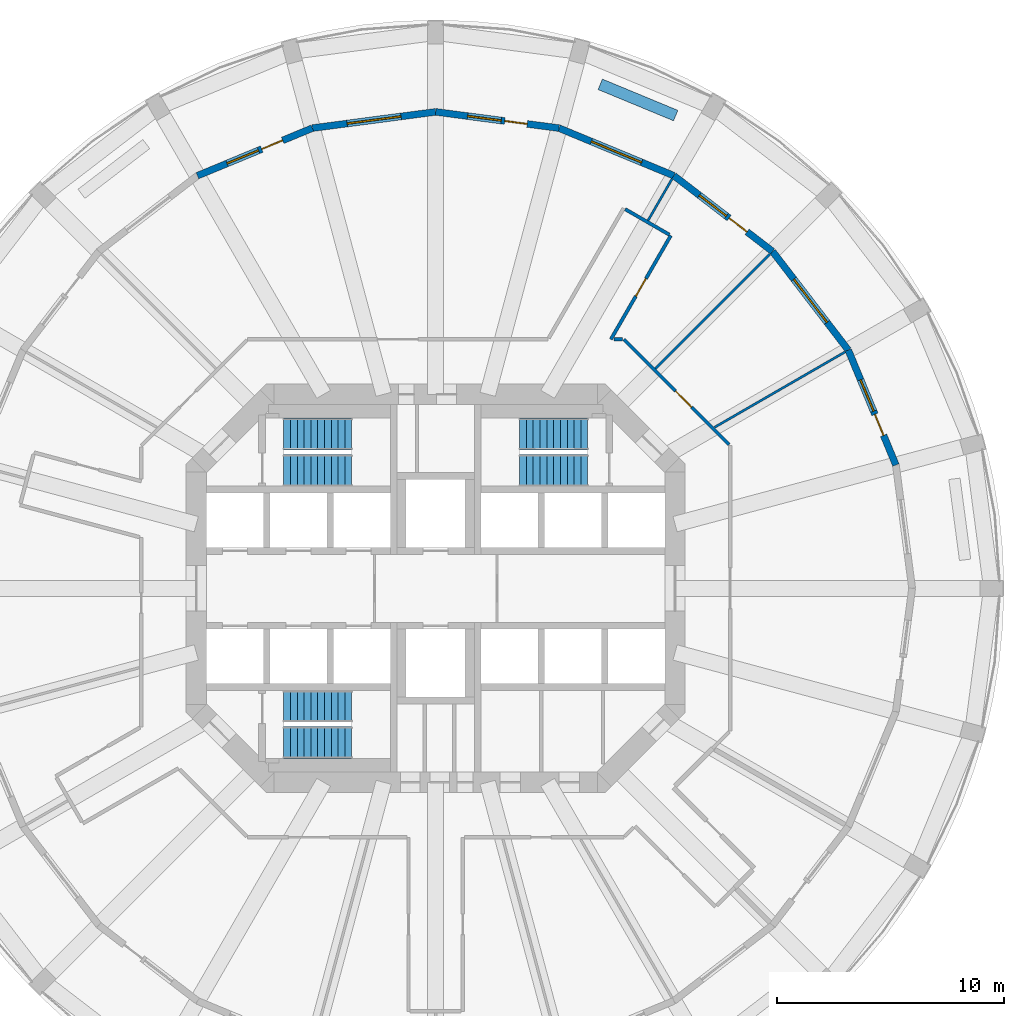
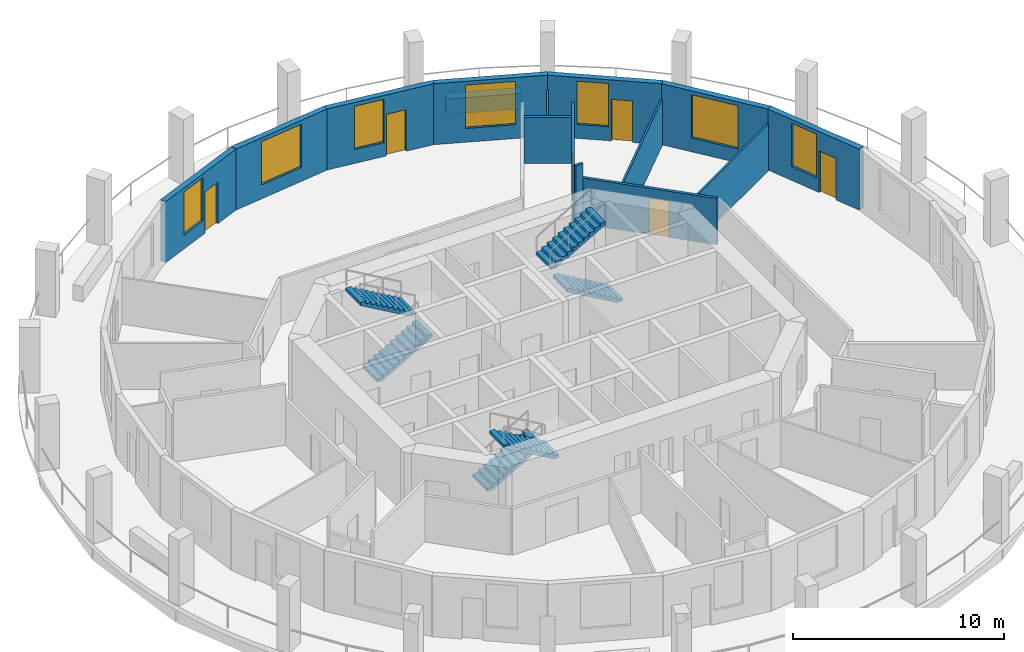
# One storey, part 6 of 8: 15 walls, 7 windows, 6 doors, 6 stair flights, 13 openings, 3 elements without a shape of their own.
"""IFC4 building model written with IfcOpenShell, lengths in metres."""

from ifc_helpers import new_model, si_unit, direction, frame, frame_2d, origin, place, context, subcontext, project, spatial, polyline, rectangle, outline, extrude, material, layer, layer_set, type_object, element, fill, aggregate, save


model = new_model("IFC4")

# Units and contexts
model_context = context("Model", 3, precision=1e-05, world=origin(), true_north=direction((0.0, 1.0)))
body_context = subcontext(model_context, "Body", "Model", "MODEL_VIEW")
ifc_project = project(units=[si_unit("LENGTHUNIT", "METRE"), si_unit("AREAUNIT", "SQUARE_METRE"), si_unit("VOLUMEUNIT", "CUBIC_METRE"), si_unit("PLANEANGLEUNIT", "RADIAN"), si_unit("MASSUNIT", "GRAM", prefix="KILO")], contexts=[model_context])

# Site, building, storey
site_placement = place(None, origin())
site = spatial("IfcSite", under=ifc_project, at=site_placement, CompositionType="ELEMENT")
building_placement = place(site_placement, origin())
building = spatial("IfcBuilding", under=site, at=building_placement, Name="Torre Triforio", CompositionType="ELEMENT")
storey_placement = place(building_placement, frame((0.0, 0.0, 120.0)))
storey = spatial("IfcBuildingStorey", under=building, at=storey_placement, Name="L26", CompositionType="ELEMENT", Elevation=120.0)

# Wall
ifc_material_1 = material(Name="Plasterboard on metal studs")
ifc_layer_1 = layer(ifc_material_1, 0.14990234375)
ifc_layer_set_1 = layer_set([ifc_layer_1], Name="Plasterboard on metal studs")
wall_type_1 = type_object("IfcWallType", Name="Corridor and tenancy wall 150 mm EI 60", PredefinedType="PARTITIONING", material=ifc_layer_set_1)
wall_1_placement = place(storey_placement, frame((8.35009765625, 16.712890625, 0.0), z_axis=(0.0, 0.0, 1.0), x_axis=(0.866017533419, -0.500013631625, 0.0)))
element("IfcWall", 1, at=wall_1_placement, inside=storey, type_object=wall_type_1, Name="Partition 11", PredefinedType="PARTITIONING", context=body_context, shape_type="SweptSolid", body=[
    extrude(rectangle(XDim=2.25, YDim=0.14990234375, at=frame_2d((1.125, 0.0))), origin(), (0.0, 0.0, 1.0), 2.669921875),
])

# Wall, opening, door
wall_2_placement = place(storey_placement, frame((10.363525390625, 15.55029296875, 0.0), z_axis=(0.0, 0.0, 1.0), x_axis=(-0.499981143329, -0.866036290415, 0.0)))
wall_2 = element("IfcWall", 2, at=wall_2_placement, inside=storey, type_object=wall_type_1, Name="Partition 12", PredefinedType="PARTITIONING", context=body_context, shape_type="SweptSolid", body=[
    extrude(rectangle(XDim=5.282958984375, YDim=0.14990234375, at=frame_2d((2.6416015625, 0.0))), origin(), (0.0, 0.0, 1.0), 3.52001953125),
])
opening_1_placement = place(wall_2_placement, frame((2.19140625, 0.0, 0.0)))
opening_1 = element("IfcOpeningElement", 3, at=opening_1_placement, cuts=wall_2, Name="Opening D1-14", PredefinedType="OPENING", context=body_context, shape_type="SweptSolid", body=[
    extrude(rectangle(XDim=0.89990234375, YDim=2.10009765625, at=frame_2d((0.449951171875, 1.050048828125))), frame((0.0, 0.0849609375, 0.0), z_axis=(0.0, -1.0, 0.0), x_axis=(1.0, 0.0, 0.0)), (0.0, 0.0, 1.0), 0.169921875),
])
ifc_material_2 = material(Name="Timber", Category="wood")
door_type_1 = type_object("IfcDoorType", Name="Door 900 x 2100 single leaf EI 30", OperationType="NOTDEFINED", PredefinedType="DOOR", material=ifc_material_2)
door_1_placement = place(opening_1_placement, origin())
door_1 = element("IfcDoor", 4, at=door_1_placement, inside=storey, type_object=door_type_1, Name="Door D1-14", OperationType="SINGLE_SWING_LEFT", OverallHeight=2.10009765625, OverallWidth=0.89990234375, PredefinedType="DOOR", context=body_context, shape_type="SweptSolid", body=[
    extrude(rectangle(XDim=0.89990234375, YDim=2.10009765625, at=frame_2d((0.449951171875, 1.050048828125))), frame((0.0, 0.02490234375, 0.0), z_axis=(0.0, -1.0, 0.0), x_axis=(1.0, 0.0, 0.0)), (0.0, 0.0, 1.0), 0.050048828125),
])
fill(opening_1, door_1)

# Wall
wall_3_placement = place(storey_placement, frame((7.85205078125, 10.97509765625, 0.0), z_axis=(0.0, 0.0, 1.0), x_axis=(1.0, 0.0, 0.0)))
element("IfcWall", 5, at=wall_3_placement, inside=storey, type_object=wall_type_1, Name="Partition 13", PredefinedType="PARTITIONING", context=body_context, shape_type="SweptSolid", body=[
    extrude(rectangle(XDim=0.38623046875, YDim=0.14990234375, at=frame_2d((0.193115234375, 0.0))), origin(), (0.0, 0.0, 1.0), 3.52001953125),
])

# Wall, opening, door
wall_4_placement = place(storey_placement, frame((8.291015625, 10.97509765625, 0.0), z_axis=(0.0, 0.0, 1.0), x_axis=(0.707088206597, -0.707125355289, 0.0)))
wall_4 = element("IfcWall", 6, at=wall_4_placement, inside=storey, type_object=wall_type_1, Name="Partition 14", PredefinedType="PARTITIONING", context=body_context, shape_type="SweptSolid", body=[
    extrude(rectangle(XDim=6.572021484375, YDim=0.14990234375, at=frame_2d((3.2861328125, 0.0))), origin(), (0.0, 0.0, 1.0), 2.669921875),
])
opening_2_placement = place(wall_4_placement, frame((3.22412109375, 0.0, 0.0)))
opening_2 = element("IfcOpeningElement", 7, at=opening_2_placement, cuts=wall_4, Name="Opening D1-13", PredefinedType="OPENING", context=body_context, shape_type="SweptSolid", body=[
    extrude(rectangle(XDim=1.0, YDim=2.10009765625, at=frame_2d((0.5, 1.050048828125))), frame((0.0, 0.0849609375, 0.0), z_axis=(0.0, -1.0, 0.0), x_axis=(1.0, 0.0, 0.0)), (0.0, 0.0, 1.0), 0.169921875),
])
door_type_2 = type_object("IfcDoorType", Name="Door 1000 x 2100 single leaf EI 30", OperationType="NOTDEFINED", PredefinedType="DOOR", material=ifc_material_2)
door_2_placement = place(opening_2_placement, origin())
door_2 = element("IfcDoor", 8, at=door_2_placement, inside=storey, type_object=door_type_2, Name="Door D1-13", OperationType="SINGLE_SWING_RIGHT", OverallHeight=2.10009765625, OverallWidth=1.0, PredefinedType="DOOR", context=body_context, shape_type="SweptSolid", body=[
    extrude(rectangle(XDim=1.0, YDim=2.10009765625, at=frame_2d((0.5, 1.050048828125))), frame((0.0, 0.02490234375, 0.0), z_axis=(0.0, -1.0, 0.0), x_axis=(1.0, 0.0, 0.0)), (0.0, 0.0, 1.0), 0.050048828125),
])
fill(opening_2, door_2)

# Walls
ifc_layer_2 = layer(ifc_material_1, 0.10009765625)
ifc_layer_set_2 = layer_set([ifc_layer_2], Name="Plasterboard on metal studs")
wall_type_2 = type_object("IfcWallType", Name="Partition 100 mm board on metal studs", PredefinedType="PARTITIONING", material=ifc_layer_set_2)
wall_5_placement = place(storey_placement, frame((12.294189453125, 7.097900390625, 0.0), z_axis=(0.0, 0.0, 1.0), x_axis=(0.866010486135, 0.500025837236, 0.0)))
element("IfcWall", 9, at=wall_5_placement, inside=storey, type_object=wall_type_2, Name="Partition 30", PredefinedType="PARTITIONING", context=body_context, shape_type="SweptSolid", body=[
    extrude(rectangle(XDim=6.640869140625, YDim=0.10009765625, at=frame_2d((3.3203125, 0.0))), origin(), (0.0, 0.0, 1.0), 2.669921875),
])
wall_6_placement = place(storey_placement, frame((9.68603515625, 9.68603515625, 0.0), z_axis=(0.0, 0.0, 1.0), x_axis=(0.707106781187, 0.707106781187, 0.0)))
element("IfcWall", 10, at=wall_6_placement, inside=storey, type_object=wall_type_2, Name="Partition 31", PredefinedType="PARTITIONING", context=body_context, shape_type="SweptSolid", body=[
    extrude(rectangle(XDim=7.138671875, YDim=0.10009765625, at=frame_2d((3.5693359375, 0.0))), origin(), (0.0, 0.0, 1.0), 2.669921875),
])
wall_7_placement = place(storey_placement, frame((9.36181640625, 16.215087890625, 0.0), z_axis=(0.0, 0.0, 1.0), x_axis=(0.500015802937, 0.866016279763, 0.0)))
element("IfcWall", 11, at=wall_7_placement, inside=storey, type_object=wall_type_2, Name="Partition 32", PredefinedType="PARTITIONING", context=body_context, shape_type="SweptSolid", body=[
    extrude(rectangle(XDim=2.11328125, YDim=0.10009765625, at=frame_2d((1.056640625, 0.0))), origin(), (0.0, 0.0, 1.0), 2.669921875),
])
ifc_material_3 = material(Name="Limestone cladding", Category="masonry")
ifc_layer_3 = layer(ifc_material_3, 0.10009765625)
ifc_material_4 = material(Name="Concrete C40", Category="concrete")
ifc_layer_4 = layer(ifc_material_4, 0.39990234375)
ifc_layer_set_3 = layer_set([ifc_layer_3, ifc_layer_4], Name="Limestone cladding / Concrete C40")
wall_type_3 = type_object("IfcWallType", Name="Planter wall 500", PredefinedType="PARAPET", material=ifc_layer_set_3)
wall_8_placement = place(storey_placement, frame((10.57958984375, 20.837646484375, 0.0), z_axis=(0.0, 0.0, 1.0), x_axis=(-0.923909393783, 0.382611332921, 0.0)))
element("IfcWall", 12, at=wall_8_placement, inside=storey, type_object=wall_type_3, Name="Planter L26 bay 05", PredefinedType="PARAPET", context=body_context, shape_type="SweptSolid", body=[
    extrude(rectangle(XDim=3.60009765625, YDim=0.5, at=frame_2d((1.800048828125, 0.0))), origin(), (0.0, 0.0, 1.0), 0.89990234375),
])

# Wall, openings, door, window
ifc_layer_5 = layer(ifc_material_3, 0.10009765625)
ifc_layer_6 = layer(ifc_material_4, 0.199951171875)
ifc_layer_set_4 = layer_set([ifc_layer_5, ifc_layer_6], Name="Limestone cladding / Concrete C40")
wall_type_4 = type_object("IfcWallType", Name="Stone-faced composite wall 300", PredefinedType="STANDARD", material=ifc_layer_set_4)
wall_9_placement = place(storey_placement, frame((20.284423828125, 5.435302734375, 0.0), z_axis=(0.0, 0.0, 1.0), x_axis=(-0.382688740813, 0.923877333662, 0.0)))
wall_9 = element("IfcWall", 13, at=wall_9_placement, inside=storey, type_object=wall_type_4, Name="External wall L26 bay 02", PredefinedType="STANDARD", context=body_context, shape_type="SweptSolid", body=[
    extrude(rectangle(XDim=5.48193359375, YDim=0.300048828125, at=frame_2d((2.740966796875, 0.0))), origin(), (0.0, 0.0, 1.0), 3.52001953125),
])
opening_3_placement = place(wall_9_placement, frame((1.416015625, 0.0, 0.0)))
opening_3 = element("IfcOpeningElement", 14, at=opening_3_placement, cuts=wall_9, Name="Opening D1-D02", PredefinedType="OPENING", context=body_context, shape_type="SweptSolid", body=[
    extrude(rectangle(XDim=1.0, YDim=2.39990234375, at=frame_2d((0.5, 1.199951171875))), frame((0.0, 0.159912109375, 0.0), z_axis=(0.0, -1.0, 0.0), x_axis=(1.0, 0.0, 0.0)), (0.0, 0.0, 1.0), 0.320068359375),
])
opening_4_placement = place(wall_9_placement, frame((2.566162109375, 0.0, 0.800048828125)))
opening_4 = element("IfcOpeningElement", 15, at=opening_4_placement, cuts=wall_9, Name="Opening D1-W02A", PredefinedType="OPENING", context=body_context, shape_type="SweptSolid", body=[
    extrude(rectangle(XDim=1.5, YDim=2.5, at=frame_2d((0.75, 1.25))), frame((0.0, 0.159912109375, 0.0), z_axis=(0.0, -1.0, 0.0), x_axis=(1.0, 0.0, 0.0)), (0.0, 0.0, 1.0), 0.320068359375),
])
ifc_material_5 = material(Name="Aluminium frame with clear double glazing", Category="aluminium")
door_type_3 = type_object("IfcDoorType", Name="Loggia door 1000 x 2400", OperationType="NOTDEFINED", PredefinedType="DOOR", material=ifc_material_5)
door_3_placement = place(opening_3_placement, origin())
door_3 = element("IfcDoor", 16, at=door_3_placement, inside=storey, type_object=door_type_3, Name="Loggia door L26 bay 02", OperationType="SINGLE_SWING_LEFT", OverallHeight=2.39990234375, OverallWidth=1.0, PredefinedType="DOOR", context=body_context, shape_type="SweptSolid", body=[
    extrude(rectangle(XDim=1.0, YDim=2.39990234375, at=frame_2d((0.5, 1.199951171875))), frame((0.0, 0.02490234375, 0.0), z_axis=(0.0, -1.0, 0.0), x_axis=(1.0, 0.0, 0.0)), (0.0, 0.0, 1.0), 0.050048828125),
])
fill(opening_3, door_3)
window_type_1 = type_object("IfcWindowType", Name="Side window 1500 x 2500", PartitioningType="SINGLE_PANEL", PredefinedType="WINDOW", material=ifc_material_5)
window_1_placement = place(opening_4_placement, origin())
window_1 = element("IfcWindow", 17, at=window_1_placement, inside=storey, type_object=window_type_1, Name="Side window EWN13 L26 bay 02", OverallHeight=2.5, OverallWidth=1.5, PartitioningType="SINGLE_PANEL", PredefinedType="WINDOW", context=body_context, shape_type="SweptSolid", body=[
    extrude(rectangle(XDim=1.5, YDim=2.5, at=frame_2d((0.75, 1.25))), frame((0.0, 0.030029296875, 0.0), z_axis=(0.0, -1.0, 0.0), x_axis=(1.0, 0.0, 0.0)), (0.0, 0.0, 1.0), 0.06005859375),
])
fill(opening_4, window_1)

# Wall, opening, window
wall_10_placement = place(storey_placement, frame((18.1865234375, 10.5, 0.0), z_axis=(0.0, 0.0, 1.0), x_axis=(-0.608784891166, 0.793335336593, 0.0)))
wall_10 = element("IfcWall", 18, at=wall_10_placement, inside=storey, type_object=wall_type_4, Name="External wall L26 bay 03", PredefinedType="STANDARD", context=body_context, shape_type="SweptSolid", body=[
    extrude(rectangle(XDim=5.482177734375, YDim=0.300048828125, at=frame_2d((2.7412109375, 0.0))), origin(), (0.0, 0.0, 1.0), 3.52001953125),
])
opening_5_placement = place(wall_10_placement, frame((1.541015625, 0.0, 0.800048828125)))
opening_5 = element("IfcOpeningElement", 19, at=opening_5_placement, cuts=wall_10, Name="Opening D1-W03", PredefinedType="OPENING", context=body_context, shape_type="SweptSolid", body=[
    extrude(rectangle(XDim=2.39990234375, YDim=2.5, at=frame_2d((1.199951171875, 1.25))), frame((0.0, 0.159912109375, 0.0), z_axis=(0.0, -1.0, 0.0), x_axis=(1.0, 0.0, 0.0)), (0.0, 0.0, 1.0), 0.320068359375),
])
window_type_2 = type_object("IfcWindowType", Name="Punched window 2400 x 2500", PartitioningType="DOUBLE_PANEL_VERTICAL", PredefinedType="WINDOW", material=ifc_material_5)
window_2_placement = place(opening_5_placement, origin())
window_2 = element("IfcWindow", 20, at=window_2_placement, inside=storey, type_object=window_type_2, Name="Window EWN3 L26 bay 03", OverallHeight=2.5, OverallWidth=2.39990234375, PartitioningType="SINGLE_PANEL", PredefinedType="WINDOW", context=body_context, shape_type="SweptSolid", body=[
    extrude(rectangle(XDim=2.39990234375, YDim=2.5, at=frame_2d((1.199951171875, 1.25))), frame((0.0, 0.030029296875, 0.0), z_axis=(0.0, -1.0, 0.0), x_axis=(1.0, 0.0, 0.0)), (0.0, 0.0, 1.0), 0.06005859375),
])
fill(opening_5, window_2)

# Wall, openings, door, window
wall_11_placement = place(storey_placement, frame((14.84912109375, 14.84912109375, 0.0), z_axis=(0.0, 0.0, 1.0), x_axis=(-0.793335336593, 0.608784891166, 0.0)))
wall_11 = element("IfcWall", 21, at=wall_11_placement, inside=storey, type_object=wall_type_4, Name="External wall L26 bay 04", PredefinedType="STANDARD", context=body_context, shape_type="SweptSolid", body=[
    extrude(rectangle(XDim=5.482177734375, YDim=0.300048828125, at=frame_2d((2.7412109375, 0.0))), origin(), (0.0, 0.0, 1.0), 3.52001953125),
])
opening_6_placement = place(wall_11_placement, frame((1.416015625, 0.0, 0.0)))
opening_6 = element("IfcOpeningElement", 22, at=opening_6_placement, cuts=wall_11, Name="Opening D1-D04", PredefinedType="OPENING", context=body_context, shape_type="SweptSolid", body=[
    extrude(rectangle(XDim=1.0, YDim=2.39990234375, at=frame_2d((0.5, 1.199951171875))), frame((0.0, 0.159912109375, 0.0), z_axis=(0.0, -1.0, 0.0), x_axis=(1.0, 0.0, 0.0)), (0.0, 0.0, 1.0), 0.320068359375),
])
opening_7_placement = place(wall_11_placement, frame((2.56591796875, 0.0, 0.800048828125)))
opening_7 = element("IfcOpeningElement", 23, at=opening_7_placement, cuts=wall_11, Name="Opening D1-W04A", PredefinedType="OPENING", context=body_context, shape_type="SweptSolid", body=[
    extrude(rectangle(XDim=1.5, YDim=2.5, at=frame_2d((0.75, 1.25))), frame((0.0, 0.159912109375, 0.0), z_axis=(0.0, -1.0, 0.0), x_axis=(1.0, 0.0, 0.0)), (0.0, 0.0, 1.0), 0.320068359375),
])
door_4_placement = place(opening_6_placement, origin())
door_4 = element("IfcDoor", 24, at=door_4_placement, inside=storey, type_object=door_type_3, Name="Loggia door L26 bay 04", OperationType="SINGLE_SWING_LEFT", OverallHeight=2.39990234375, OverallWidth=1.0, PredefinedType="DOOR", context=body_context, shape_type="SweptSolid", body=[
    extrude(rectangle(XDim=1.0, YDim=2.39990234375, at=frame_2d((0.5, 1.199951171875))), frame((0.0, 0.02490234375, 0.0), z_axis=(0.0, -1.0, 0.0), x_axis=(1.0, 0.0, 0.0)), (0.0, 0.0, 1.0), 0.050048828125),
])
fill(opening_6, door_4)
window_3_placement = place(opening_7_placement, origin())
window_3 = element("IfcWindow", 25, at=window_3_placement, inside=storey, type_object=window_type_1, Name="Side window EWN13 L26 bay 04", OverallHeight=2.5, OverallWidth=1.5, PartitioningType="SINGLE_PANEL", PredefinedType="WINDOW", context=body_context, shape_type="SweptSolid", body=[
    extrude(rectangle(XDim=1.5, YDim=2.5, at=frame_2d((0.75, 1.25))), frame((0.0, 0.030029296875, 0.0), z_axis=(0.0, -1.0, 0.0), x_axis=(1.0, 0.0, 0.0)), (0.0, 0.0, 1.0), 0.06005859375),
])
fill(opening_7, window_3)

# Wall, opening, window
wall_12_placement = place(storey_placement, frame((10.5, 18.1865234375, 0.0), z_axis=(0.0, 0.0, 1.0), x_axis=(-0.923877333662, 0.382688740813, 0.0)))
wall_12 = element("IfcWall", 26, at=wall_12_placement, inside=storey, type_object=wall_type_4, Name="External wall L26 bay 05", PredefinedType="STANDARD", context=body_context, shape_type="SweptSolid", body=[
    extrude(rectangle(XDim=5.48193359375, YDim=0.300048828125, at=frame_2d((2.740966796875, 0.0))), origin(), (0.0, 0.0, 1.0), 3.52001953125),
])
opening_8_placement = place(wall_12_placement, frame((1.541015625, 0.0, 0.800048828125)))
opening_8 = element("IfcOpeningElement", 27, at=opening_8_placement, cuts=wall_12, Name="Opening D1-W05", PredefinedType="OPENING", context=body_context, shape_type="SweptSolid", body=[
    extrude(rectangle(XDim=2.39990234375, YDim=2.5, at=frame_2d((1.199951171875, 1.25))), frame((0.0, 0.159912109375, 0.0), z_axis=(0.0, -1.0, 0.0), x_axis=(1.0, 0.0, 0.0)), (0.0, 0.0, 1.0), 0.320068359375),
])
window_4_placement = place(opening_8_placement, origin())
window_4 = element("IfcWindow", 28, at=window_4_placement, inside=storey, type_object=window_type_2, Name="Window EWN3 L26 bay 05", OverallHeight=2.5, OverallWidth=2.39990234375, PartitioningType="SINGLE_PANEL", PredefinedType="WINDOW", context=body_context, shape_type="SweptSolid", body=[
    extrude(rectangle(XDim=2.39990234375, YDim=2.5, at=frame_2d((1.199951171875, 1.25))), frame((0.0, 0.030029296875, 0.0), z_axis=(0.0, -1.0, 0.0), x_axis=(1.0, 0.0, 0.0)), (0.0, 0.0, 1.0), 0.06005859375),
])
fill(opening_8, window_4)

# Wall, openings, door, window
wall_13_placement = place(storey_placement, frame((5.435302734375, 20.284423828125, 0.0), z_axis=(0.0, 0.0, 1.0), x_axis=(-0.991444743541, 0.130527087244, 0.0)))
wall_13 = element("IfcWall", 29, at=wall_13_placement, inside=storey, type_object=wall_type_4, Name="External wall L26 bay 06", PredefinedType="STANDARD", context=body_context, shape_type="SweptSolid", body=[
    extrude(rectangle(XDim=5.482177734375, YDim=0.300048828125, at=frame_2d((2.7412109375, 0.0))), origin(), (0.0, 0.0, 1.0), 3.52001953125),
])
opening_9_placement = place(wall_13_placement, frame((1.416015625, 0.0, 0.0)))
opening_9 = element("IfcOpeningElement", 30, at=opening_9_placement, cuts=wall_13, Name="Opening D1-D06", PredefinedType="OPENING", context=body_context, shape_type="SweptSolid", body=[
    extrude(rectangle(XDim=1.0, YDim=2.39990234375, at=frame_2d((0.5, 1.199951171875))), frame((0.0, 0.159912109375, 0.0), z_axis=(0.0, -1.0, 0.0), x_axis=(1.0, 0.0, 0.0)), (0.0, 0.0, 1.0), 0.320068359375),
])
opening_10_placement = place(wall_13_placement, frame((2.566162109375, 0.0, 0.800048828125)))
opening_10 = element("IfcOpeningElement", 31, at=opening_10_placement, cuts=wall_13, Name="Opening D1-W06A", PredefinedType="OPENING", context=body_context, shape_type="SweptSolid", body=[
    extrude(rectangle(XDim=1.5, YDim=2.5, at=frame_2d((0.75, 1.25))), frame((0.0, 0.159912109375, 0.0), z_axis=(0.0, -1.0, 0.0), x_axis=(1.0, 0.0, 0.0)), (0.0, 0.0, 1.0), 0.320068359375),
])
door_5_placement = place(opening_9_placement, origin())
door_5 = element("IfcDoor", 32, at=door_5_placement, inside=storey, type_object=door_type_3, Name="Loggia door L26 bay 06", OperationType="SINGLE_SWING_LEFT", OverallHeight=2.39990234375, OverallWidth=1.0, PredefinedType="DOOR", context=body_context, shape_type="SweptSolid", body=[
    extrude(rectangle(XDim=1.0, YDim=2.39990234375, at=frame_2d((0.5, 1.199951171875))), frame((0.0, 0.02490234375, 0.0), z_axis=(0.0, -1.0, 0.0), x_axis=(1.0, 0.0, 0.0)), (0.0, 0.0, 1.0), 0.050048828125),
])
fill(opening_9, door_5)
window_5_placement = place(opening_10_placement, origin())
window_5 = element("IfcWindow", 33, at=window_5_placement, inside=storey, type_object=window_type_1, Name="Side window EWN13 L26 bay 06", OverallHeight=2.5, OverallWidth=1.5, PartitioningType="SINGLE_PANEL", PredefinedType="WINDOW", context=body_context, shape_type="SweptSolid", body=[
    extrude(rectangle(XDim=1.5, YDim=2.5, at=frame_2d((0.75, 1.25))), frame((0.0, 0.030029296875, 0.0), z_axis=(0.0, -1.0, 0.0), x_axis=(1.0, 0.0, 0.0)), (0.0, 0.0, 1.0), 0.06005859375),
])
fill(opening_10, window_5)

# Wall, opening, window
wall_14_placement = place(storey_placement, frame((0.0, 21.0, 0.0), z_axis=(0.0, 0.0, 1.0), x_axis=(-0.991444743541, -0.130527087244, 0.0)))
wall_14 = element("IfcWall", 34, at=wall_14_placement, inside=storey, type_object=wall_type_4, Name="External wall L26 bay 07", PredefinedType="STANDARD", context=body_context, shape_type="SweptSolid", body=[
    extrude(rectangle(XDim=5.482177734375, YDim=0.300048828125, at=frame_2d((2.7412109375, 0.0))), origin(), (0.0, 0.0, 1.0), 3.52001953125),
])
opening_11_placement = place(wall_14_placement, frame((1.541015625, 0.0, 0.800048828125)))
opening_11 = element("IfcOpeningElement", 35, at=opening_11_placement, cuts=wall_14, Name="Opening D1-W07", PredefinedType="OPENING", context=body_context, shape_type="SweptSolid", body=[
    extrude(rectangle(XDim=2.39990234375, YDim=2.5, at=frame_2d((1.199951171875, 1.25))), frame((0.0, 0.159912109375, 0.0), z_axis=(0.0, -1.0, 0.0), x_axis=(1.0, 0.0, 0.0)), (0.0, 0.0, 1.0), 0.320068359375),
])
window_6_placement = place(opening_11_placement, origin())
window_6 = element("IfcWindow", 36, at=window_6_placement, inside=storey, type_object=window_type_2, Name="Window EWN3 L26 bay 07", OverallHeight=2.5, OverallWidth=2.39990234375, PartitioningType="SINGLE_PANEL", PredefinedType="WINDOW", context=body_context, shape_type="SweptSolid", body=[
    extrude(rectangle(XDim=2.39990234375, YDim=2.5, at=frame_2d((1.199951171875, 1.25))), frame((0.0, 0.030029296875, 0.0), z_axis=(0.0, -1.0, 0.0), x_axis=(1.0, 0.0, 0.0)), (0.0, 0.0, 1.0), 0.06005859375),
])
fill(opening_11, window_6)

# Wall, openings, door, window
wall_15_placement = place(storey_placement, frame((-5.435302734375, 20.284423828125, 0.0), z_axis=(0.0, 0.0, 1.0), x_axis=(-0.923877333662, -0.382688740813, 0.0)))
wall_15 = element("IfcWall", 37, at=wall_15_placement, inside=storey, type_object=wall_type_4, Name="External wall L26 bay 08", PredefinedType="STANDARD", context=body_context, shape_type="SweptSolid", body=[
    extrude(rectangle(XDim=5.48193359375, YDim=0.300048828125, at=frame_2d((2.740966796875, 0.0))), origin(), (0.0, 0.0, 1.0), 3.52001953125),
])
opening_12_placement = place(wall_15_placement, frame((1.416015625, 0.0, 0.0)))
opening_12 = element("IfcOpeningElement", 38, at=opening_12_placement, cuts=wall_15, Name="Opening D1-D08", PredefinedType="OPENING", context=body_context, shape_type="SweptSolid", body=[
    extrude(rectangle(XDim=1.0, YDim=2.39990234375, at=frame_2d((0.5, 1.199951171875))), frame((0.0, 0.159912109375, 0.0), z_axis=(0.0, -1.0, 0.0), x_axis=(1.0, 0.0, 0.0)), (0.0, 0.0, 1.0), 0.320068359375),
])
opening_13_placement = place(wall_15_placement, frame((2.566162109375, 0.0, 0.800048828125)))
opening_13 = element("IfcOpeningElement", 39, at=opening_13_placement, cuts=wall_15, Name="Opening D1-W08A", PredefinedType="OPENING", context=body_context, shape_type="SweptSolid", body=[
    extrude(rectangle(XDim=1.5, YDim=2.5, at=frame_2d((0.75, 1.25))), frame((0.0, 0.159912109375, 0.0), z_axis=(0.0, -1.0, 0.0), x_axis=(1.0, 0.0, 0.0)), (0.0, 0.0, 1.0), 0.320068359375),
])
door_6_placement = place(opening_12_placement, origin())
door_6 = element("IfcDoor", 40, at=door_6_placement, inside=storey, type_object=door_type_3, Name="Loggia door L26 bay 08", OperationType="SINGLE_SWING_LEFT", OverallHeight=2.39990234375, OverallWidth=1.0, PredefinedType="DOOR", context=body_context, shape_type="SweptSolid", body=[
    extrude(rectangle(XDim=1.0, YDim=2.39990234375, at=frame_2d((0.5, 1.199951171875))), frame((0.0, 0.02490234375, 0.0), z_axis=(0.0, -1.0, 0.0), x_axis=(1.0, 0.0, 0.0)), (0.0, 0.0, 1.0), 0.050048828125),
])
fill(opening_12, door_6)
window_7_placement = place(opening_13_placement, origin())
window_7 = element("IfcWindow", 41, at=window_7_placement, inside=storey, type_object=window_type_1, Name="Side window EWN13 L26 bay 08", OverallHeight=2.5, OverallWidth=1.5, PartitioningType="SINGLE_PANEL", PredefinedType="WINDOW", context=body_context, shape_type="SweptSolid", body=[
    extrude(rectangle(XDim=1.5, YDim=2.5, at=frame_2d((0.75, 1.25))), frame((0.0, 0.030029296875, 0.0), z_axis=(0.0, -1.0, 0.0), x_axis=(1.0, 0.0, 0.0)), (0.0, 0.0, 1.0), 0.06005859375),
])
fill(opening_13, window_7)

# Stair, stair flights
stair_type = type_object("IfcStairType", Name="STAIR HALF-TURN", PredefinedType="HALF_TURN_STAIR", material=ifc_material_4)
stair_1_placement = place(storey_placement, origin())
stair_1 = element("IfcStair", 42, at=stair_1_placement, inside=storey, type_object=stair_type, Name="Exit stair 1", PredefinedType="HALF_TURN_STAIR")
stair_flight_type = type_object("IfcStairFlightType", Name="STAIR FLIGHT 1400", PredefinedType="STRAIGHT", material=ifc_material_4)
stair_flight_1_placement = place(storey_placement, frame((-6.699951171875, 5.199951171875, 0.0), z_axis=(0.0, 0.0, 1.0), x_axis=(1.0, 0.0, 0.0)))
stair_flight_1 = element("IfcStairFlight", 43, at=stair_flight_1_placement, type_object=stair_flight_type, Name="ST1 flight 1", NumberOfRisers=11, NumberOfTreads=10, PredefinedType="STRAIGHT", RiserHeight=0.172727273, TreadLength=0.3, context=body_context, shape_type="SweptSolid", body=[
    extrude(outline(polyline([(0.0, 0.0), (0.0, 0.172607421875), (0.300048828125, 0.172607421875), (0.300048828125, 0.345458984375), (0.60009765625, 0.345458984375), (0.60009765625, 0.51806640625), (0.89990234375, 0.51806640625), (0.89990234375, 0.69091796875), (1.199951171875, 0.69091796875), (1.199951171875, 0.863525390625), (1.5, 0.863525390625), (1.5, 1.036376953125), (1.800048828125, 1.036376953125), (1.800048828125, 1.208984375), (2.10009765625, 1.208984375), (2.10009765625, 1.3818359375), (2.39990234375, 1.3818359375), (2.39990234375, 1.554443359375), (2.699951171875, 1.554443359375), (2.699951171875, 1.727294921875), (3.0, 1.727294921875), (3.0, 1.89990234375), (3.0, 1.55419921875), (0.300537109375, 0.0), (0.0, 0.0)])), frame((0.0, 0.699951171875, 0.0), z_axis=(0.0, -1.0, 0.0), x_axis=(1.0, 0.0, 0.0)), (0.0, 0.0, 1.0), 1.39990234375),
])
stair_flight_2_placement = place(storey_placement, frame((-3.699951171875, 6.800048828125, 1.89990234375), z_axis=(0.0, 0.0, 1.0), x_axis=(-1.0, 0.0, 0.0)))
stair_flight_2 = element("IfcStairFlight", 44, at=stair_flight_2_placement, type_object=stair_flight_type, Name="ST1 flight 2", NumberOfRisers=11, NumberOfTreads=10, PredefinedType="STRAIGHT", RiserHeight=0.172727273, TreadLength=0.3, context=body_context, shape_type="SweptSolid", body=[
    extrude(outline(polyline([(0.0, 0.0), (0.0, 0.172607421875), (0.300048828125, 0.172607421875), (0.300048828125, 0.345458984375), (0.60009765625, 0.345458984375), (0.60009765625, 0.51806640625), (0.89990234375, 0.51806640625), (0.89990234375, 0.69091796875), (1.199951171875, 0.69091796875), (1.199951171875, 0.863525390625), (1.5, 0.863525390625), (1.5, 1.036376953125), (1.800048828125, 1.036376953125), (1.800048828125, 1.208984375), (2.10009765625, 1.208984375), (2.10009765625, 1.3818359375), (2.39990234375, 1.3818359375), (2.39990234375, 1.554443359375), (2.699951171875, 1.554443359375), (2.699951171875, 1.727294921875), (3.0, 1.727294921875), (3.0, 1.89990234375), (3.0, 1.55419921875), (0.300537109375, 0.0), (0.0, 0.0)])), frame((0.0, 0.699951171875, 0.0), z_axis=(0.0, -1.0, 0.0), x_axis=(1.0, 0.0, 0.0)), (0.0, 0.0, 1.0), 1.39990234375),
])
aggregate(stair_1, [stair_flight_1, stair_flight_2])

stair_2_placement = place(storey_placement, origin())
stair_2 = element("IfcStair", 45, at=stair_2_placement, inside=storey, type_object=stair_type, Name="Exit stair 2", PredefinedType="HALF_TURN_STAIR")
stair_flight_3_placement = place(storey_placement, frame((6.699951171875, 5.199951171875, 0.0), z_axis=(0.0, 0.0, 1.0), x_axis=(-1.0, 0.0, 0.0)))
stair_flight_3 = element("IfcStairFlight", 46, at=stair_flight_3_placement, type_object=stair_flight_type, Name="ST2 flight 1", NumberOfRisers=11, NumberOfTreads=10, PredefinedType="STRAIGHT", RiserHeight=0.172727273, TreadLength=0.3, context=body_context, shape_type="SweptSolid", body=[
    extrude(outline(polyline([(0.0, 0.0), (0.0, 0.172607421875), (0.300048828125, 0.172607421875), (0.300048828125, 0.345458984375), (0.60009765625, 0.345458984375), (0.60009765625, 0.51806640625), (0.89990234375, 0.51806640625), (0.89990234375, 0.69091796875), (1.199951171875, 0.69091796875), (1.199951171875, 0.863525390625), (1.5, 0.863525390625), (1.5, 1.036376953125), (1.800048828125, 1.036376953125), (1.800048828125, 1.208984375), (2.10009765625, 1.208984375), (2.10009765625, 1.3818359375), (2.39990234375, 1.3818359375), (2.39990234375, 1.554443359375), (2.699951171875, 1.554443359375), (2.699951171875, 1.727294921875), (3.0, 1.727294921875), (3.0, 1.89990234375), (3.0, 1.55419921875), (0.300537109375, 0.0), (0.0, 0.0)])), frame((0.0, 0.699951171875, 0.0), z_axis=(0.0, -1.0, 0.0), x_axis=(1.0, 0.0, 0.0)), (0.0, 0.0, 1.0), 1.39990234375),
])
stair_flight_4_placement = place(storey_placement, frame((3.699951171875, 6.800048828125, 1.89990234375), z_axis=(0.0, 0.0, 1.0), x_axis=(1.0, 0.0, 0.0)))
stair_flight_4 = element("IfcStairFlight", 47, at=stair_flight_4_placement, type_object=stair_flight_type, Name="ST2 flight 2", NumberOfRisers=11, NumberOfTreads=10, PredefinedType="STRAIGHT", RiserHeight=0.172727273, TreadLength=0.3, context=body_context, shape_type="SweptSolid", body=[
    extrude(outline(polyline([(0.0, 0.0), (0.0, 0.172607421875), (0.300048828125, 0.172607421875), (0.300048828125, 0.345458984375), (0.60009765625, 0.345458984375), (0.60009765625, 0.51806640625), (0.89990234375, 0.51806640625), (0.89990234375, 0.69091796875), (1.199951171875, 0.69091796875), (1.199951171875, 0.863525390625), (1.5, 0.863525390625), (1.5, 1.036376953125), (1.800048828125, 1.036376953125), (1.800048828125, 1.208984375), (2.10009765625, 1.208984375), (2.10009765625, 1.3818359375), (2.39990234375, 1.3818359375), (2.39990234375, 1.554443359375), (2.699951171875, 1.554443359375), (2.699951171875, 1.727294921875), (3.0, 1.727294921875), (3.0, 1.89990234375), (3.0, 1.55419921875), (0.300537109375, 0.0), (0.0, 0.0)])), frame((0.0, 0.699951171875, 0.0), z_axis=(0.0, -1.0, 0.0), x_axis=(1.0, 0.0, 0.0)), (0.0, 0.0, 1.0), 1.39990234375),
])
aggregate(stair_2, [stair_flight_3, stair_flight_4])

stair_3_placement = place(storey_placement, origin())
stair_3 = element("IfcStair", 48, at=stair_3_placement, inside=storey, type_object=stair_type, Name="Exit stair 3", PredefinedType="HALF_TURN_STAIR")
stair_flight_5_placement = place(storey_placement, frame((-6.699951171875, -5.199951171875, 0.0), z_axis=(0.0, 0.0, 1.0), x_axis=(1.0, 0.0, 0.0)))
stair_flight_5 = element("IfcStairFlight", 49, at=stair_flight_5_placement, type_object=stair_flight_type, Name="ST3 flight 1", NumberOfRisers=11, NumberOfTreads=10, PredefinedType="STRAIGHT", RiserHeight=0.172727273, TreadLength=0.3, context=body_context, shape_type="SweptSolid", body=[
    extrude(outline(polyline([(0.0, 0.0), (0.0, 0.172607421875), (0.300048828125, 0.172607421875), (0.300048828125, 0.345458984375), (0.60009765625, 0.345458984375), (0.60009765625, 0.51806640625), (0.89990234375, 0.51806640625), (0.89990234375, 0.69091796875), (1.199951171875, 0.69091796875), (1.199951171875, 0.863525390625), (1.5, 0.863525390625), (1.5, 1.036376953125), (1.800048828125, 1.036376953125), (1.800048828125, 1.208984375), (2.10009765625, 1.208984375), (2.10009765625, 1.3818359375), (2.39990234375, 1.3818359375), (2.39990234375, 1.554443359375), (2.699951171875, 1.554443359375), (2.699951171875, 1.727294921875), (3.0, 1.727294921875), (3.0, 1.89990234375), (3.0, 1.55419921875), (0.300537109375, 0.0), (0.0, 0.0)])), frame((0.0, 0.699951171875, 0.0), z_axis=(0.0, -1.0, 0.0), x_axis=(1.0, 0.0, 0.0)), (0.0, 0.0, 1.0), 1.39990234375),
])
stair_flight_6_placement = place(storey_placement, frame((-3.699951171875, -6.800048828125, 1.89990234375), z_axis=(0.0, 0.0, 1.0), x_axis=(-1.0, 0.0, 0.0)))
stair_flight_6 = element("IfcStairFlight", 50, at=stair_flight_6_placement, type_object=stair_flight_type, Name="ST3 flight 2", NumberOfRisers=11, NumberOfTreads=10, PredefinedType="STRAIGHT", RiserHeight=0.172727273, TreadLength=0.3, context=body_context, shape_type="SweptSolid", body=[
    extrude(outline(polyline([(0.0, 0.0), (0.0, 0.172607421875), (0.300048828125, 0.172607421875), (0.300048828125, 0.345458984375), (0.60009765625, 0.345458984375), (0.60009765625, 0.51806640625), (0.89990234375, 0.51806640625), (0.89990234375, 0.69091796875), (1.199951171875, 0.69091796875), (1.199951171875, 0.863525390625), (1.5, 0.863525390625), (1.5, 1.036376953125), (1.800048828125, 1.036376953125), (1.800048828125, 1.208984375), (2.10009765625, 1.208984375), (2.10009765625, 1.3818359375), (2.39990234375, 1.3818359375), (2.39990234375, 1.554443359375), (2.699951171875, 1.554443359375), (2.699951171875, 1.727294921875), (3.0, 1.727294921875), (3.0, 1.89990234375), (3.0, 1.55419921875), (0.300537109375, 0.0), (0.0, 0.0)])), frame((0.0, 0.699951171875, 0.0), z_axis=(0.0, -1.0, 0.0), x_axis=(1.0, 0.0, 0.0)), (0.0, 0.0, 1.0), 1.39990234375),
])
aggregate(stair_3, [stair_flight_5, stair_flight_6])

save(model, "model.ifc")
